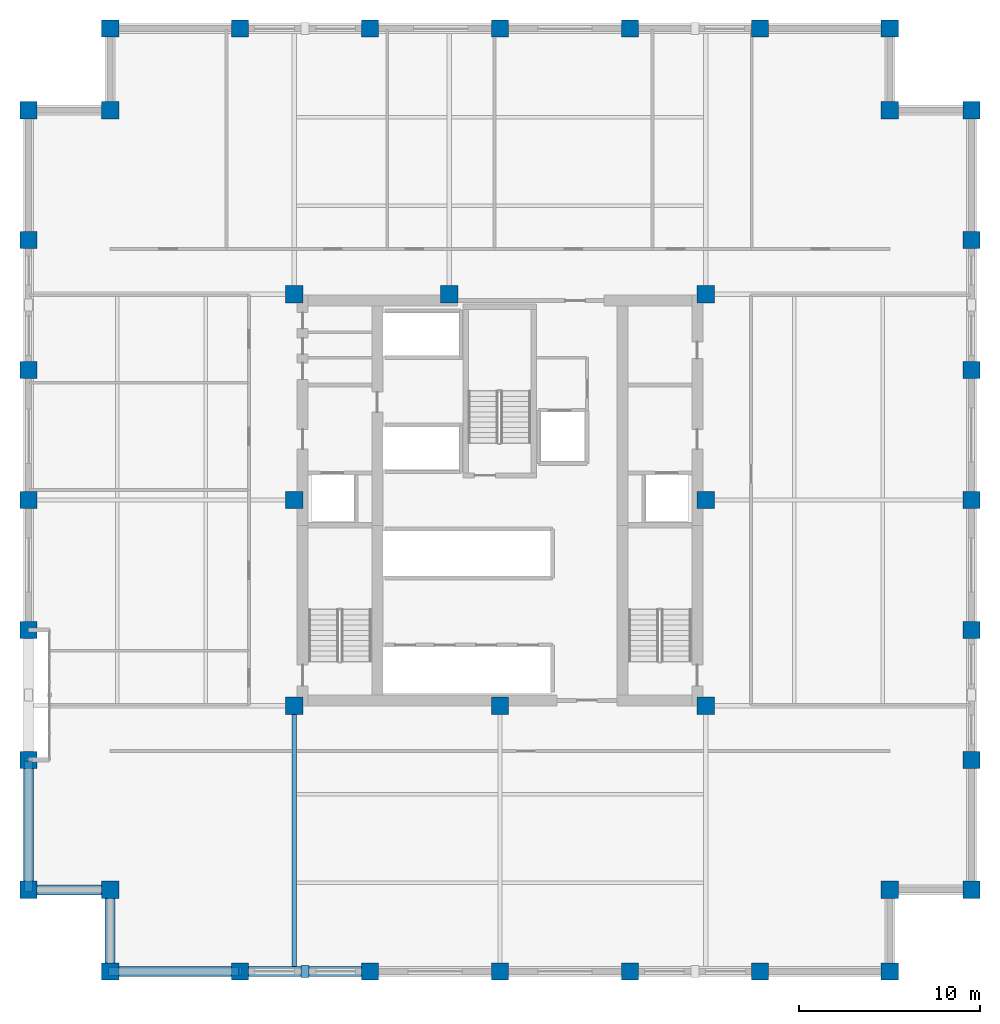
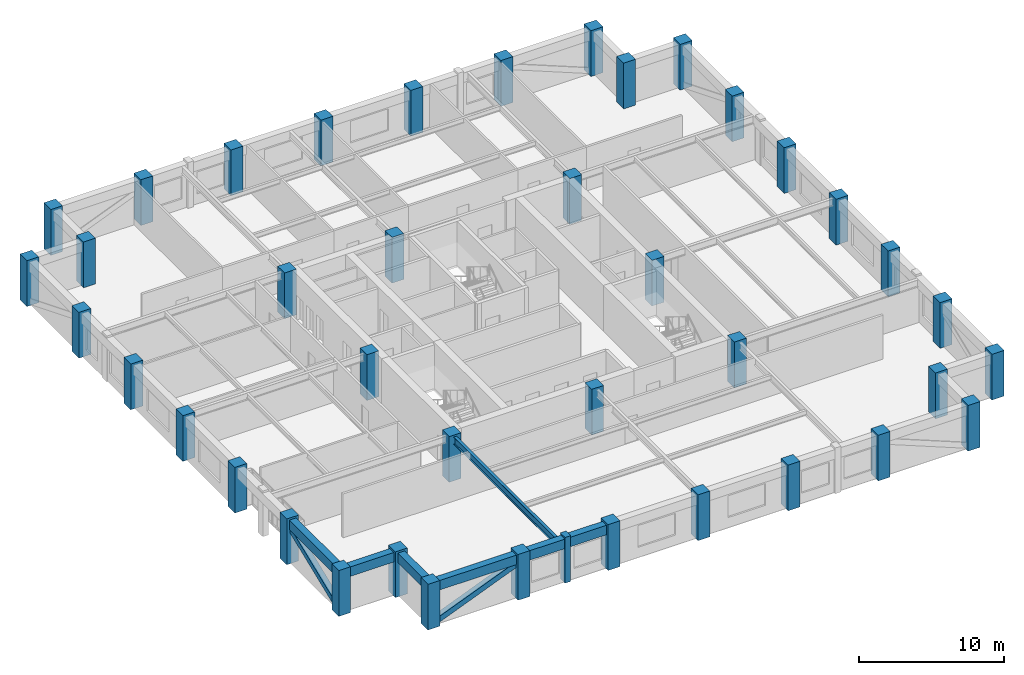
# One storey, part 1 of 11: 40 columns, 6 beams, 3 members.
"""IFC4 building model written with IfcOpenShell, lengths in metres."""

from ifc_helpers import new_model, si_unit, direction, frame, origin, origin_2d, place, context, subcontext, project, spatial, rectangle, hollow_rectangle, i_section, extrude, material, material_profile, profile_set, type_object, element, save


model = new_model("IFC4")

# Units and contexts
model_context = context("Model", 3, precision=1e-05, world=origin(), true_north=direction((0.0, 1.0)))
body_context = subcontext(model_context, "Body", "Model", "MODEL_VIEW")
ifc_project = project(units=[si_unit("LENGTHUNIT", "METRE"), si_unit("AREAUNIT", "SQUARE_METRE"), si_unit("VOLUMEUNIT", "CUBIC_METRE"), si_unit("PLANEANGLEUNIT", "RADIAN"), si_unit("MASSUNIT", "GRAM", prefix="KILO")], contexts=[model_context])

# Site, building, storey
site_placement = place(None, origin())
site = spatial("IfcSite", under=ifc_project, at=site_placement, CompositionType="ELEMENT")
building_placement = place(site_placement, origin())
building = spatial("IfcBuilding", under=site, at=building_placement, Name="Nhamokura Convention Tower", CompositionType="ELEMENT")
storey_placement = place(building_placement, frame((0.0, 0.0, 168.35009765625)))
storey = spatial("IfcBuildingStorey", under=building, at=storey_placement, Name="L41", CompositionType="ELEMENT", Elevation=168.35009765625)

# Columns
ifc_material_1 = material(Name="Concrete C60/75", Category="concrete")
ifc_material_profile_1 = material_profile(ifc_material_1, rectangle(XDim=0.949951171875, YDim=0.949951171875, at=origin_2d()))
ifc_profile_set_1 = profile_set([ifc_material_profile_1], Name="Concrete C60/75")
column_type = type_object("IfcColumnType", Name="TubeColumn_Z2_950", PredefinedType="COLUMN", material=ifc_profile_set_1)
for number, where, z_axis, x_axis, name in (
    (1, (20.64990234375, 20.64990234375, 0.0), (0.0, 0.0, 1.0), (1.0, 0.0, 0.0), "L41 Core Column CC-SW"),
    (2, (32.0, 20.64990234375, 0.0), (0.0, 0.0, 1.0), (1.0, 0.0, 0.0), "L41 Core Column CC-S"),
    (3, (43.35009765625, 20.64990234375, 0.0), (0.0, 0.0, 1.0), (1.0, 0.0, 0.0), "L41 Core Column CC-SE"),
    (4, (43.35009765625, 32.0, 0.0), (0.0, 0.0, 1.0), (1.0, 0.0, 0.0), "L41 Core Column CC-E"),
    (5, (43.35009765625, 43.35009765625, 0.0), (0.0, 0.0, 1.0), (1.0, 0.0, 0.0), "L41 Core Column CC-NE"),
    (6, (29.199951171875, 43.35009765625, 0.0), (0.0, 0.0, 1.0), (1.0, 0.0, 0.0), "L41 Core Column CC-N"),
    (7, (20.64990234375, 43.35009765625, 0.0), (0.0, 0.0, 1.0), (1.0, 0.0, 0.0), "L41 Core Column CC-NW"),
    (8, (20.64990234375, 32.0, 0.0), (0.0, 0.0, 1.0), (1.0, 0.0, 0.0), "L41 Core Column CC-W"),
    (9, (10.5, 6.0, 0.0), (0.0, 0.0, 1.0), (1.0, 0.0, 0.0), "L41 Perimeter Tube Column SW1"),
    (10, (10.5, 10.5, 0.0), (0.0, 0.0, 1.0), (1.0, 0.0, 0.0), "L41 Perimeter Tube Column SW0"),
    (11, (6.0, 10.5, 0.0), (0.0, 0.0, 1.0), (1.0, 0.0, 0.0), "L41 Perimeter Tube Column SW2"),
    (12, (53.5, 6.0, 0.0), (0.0, 0.0, 1.0), (1.0, 0.0, 0.0), "L41 Perimeter Tube Column SE1"),
    (13, (53.5, 10.5, 0.0), (0.0, 0.0, 1.0), (1.0, 0.0, 0.0), "L41 Perimeter Tube Column SE0"),
    (14, (58.0, 10.5, 0.0), (0.0, 0.0, 1.0), (1.0, 0.0, 0.0), "L41 Perimeter Tube Column SE2"),
    (15, (58.0, 53.5, 0.0), (0.0, 0.0, 1.0), (1.0, 0.0, 0.0), "L41 Perimeter Tube Column NE1"),
    (16, (53.5, 53.5, 0.0), (0.0, 0.0, 1.0), (1.0, 0.0, 0.0), "L41 Perimeter Tube Column NE0"),
    (17, (53.5, 58.0, 0.0), (0.0, 0.0, 1.0), (1.0, 0.0, 0.0), "L41 Perimeter Tube Column NE2"),
    (18, (10.5, 58.0, 0.0), (0.0, 0.0, 1.0), (1.0, 0.0, 0.0), "L41 Perimeter Tube Column NW1"),
    (19, (10.5, 53.5, 0.0), (0.0, 0.0, 1.0), (1.0, 0.0, 0.0), "L41 Perimeter Tube Column NW0"),
    (20, (6.0, 53.5, 0.0), (0.0, 0.0, 1.0), (1.0, 0.0, 0.0), "L41 Perimeter Tube Column NW2"),
    (21, (17.666748046875, 6.0, 0.0), (0.0, 0.0, 1.0), (1.0, 0.0, 0.0), "L41 Perimeter Tube Column S1"),
    (22, (17.666748046875, 58.0, 0.0), (0.0, 0.0, 1.0), (1.0, 0.0, 0.0), "L41 Perimeter Tube Column N1"),
    (23, (6.0, 17.666748046875, 0.0), (0.0, 0.0, 1.0), (1.0, 0.0, 0.0), "L41 Perimeter Tube Column W1"),
    (24, (58.0, 17.666748046875, 0.0), (0.0, 0.0, 1.0), (1.0, 0.0, 0.0), "L41 Perimeter Tube Column E1"),
    (25, (24.833251953125, 6.0, 0.0), (0.0, 0.0, 1.0), (1.0, 0.0, 0.0), "L41 Perimeter Tube Column S2"),
    (26, (24.833251953125, 58.0, 0.0), (0.0, 0.0, 1.0), (1.0, 0.0, 0.0), "L41 Perimeter Tube Column N2"),
    (27, (6.0, 24.833251953125, 0.0), (0.0, 0.0, 1.0), (1.0, 0.0, 0.0), "L41 Perimeter Tube Column W2"),
    (28, (58.0, 24.833251953125, 0.0), (0.0, 0.0, 1.0), (1.0, 0.0, 0.0), "L41 Perimeter Tube Column E2"),
    (29, (32.0, 6.0, 0.0), (0.0, 0.0, 1.0), (1.0, 0.0, 0.0), "L41 Perimeter Tube Column S3"),
    (30, (32.0, 58.0, 0.0), (0.0, 0.0, 1.0), (1.0, 0.0, 0.0), "L41 Perimeter Tube Column N3"),
    (31, (6.0, 32.0, 0.0), (0.0, 0.0, 1.0), (1.0, 0.0, 0.0), "L41 Perimeter Tube Column W3"),
    (32, (58.0, 32.0, 0.0), (0.0, 0.0, 1.0), (1.0, 0.0, 0.0), "L41 Perimeter Tube Column E3"),
    (33, (39.166748046875, 6.0, 0.0), (0.0, 0.0, 1.0), (1.0, 0.0, 0.0), "L41 Perimeter Tube Column S4"),
    (34, (39.166748046875, 58.0, 0.0), (0.0, 0.0, 1.0), (1.0, 0.0, 0.0), "L41 Perimeter Tube Column N4"),
    (35, (6.0, 39.166748046875, 0.0), (0.0, 0.0, 1.0), (1.0, 0.0, 0.0), "L41 Perimeter Tube Column W4"),
    (36, (58.0, 39.166748046875, 0.0), (0.0, 0.0, 1.0), (1.0, 0.0, 0.0), "L41 Perimeter Tube Column E4"),
    (37, (46.333251953125, 6.0, 0.0), (0.0, 0.0, 1.0), (1.0, 0.0, 0.0), "L41 Perimeter Tube Column S5"),
    (38, (46.333251953125, 58.0, 0.0), (0.0, 0.0, 1.0), (1.0, 0.0, 0.0), "L41 Perimeter Tube Column N5"),
    (39, (6.0, 46.333251953125, 0.0), (0.0, 0.0, 1.0), (1.0, 0.0, 0.0), "L41 Perimeter Tube Column W5"),
    (40, (58.0, 46.333251953125, 0.0), (0.0, 0.0, 1.0), (1.0, 0.0, 0.0), "L41 Perimeter Tube Column E5"),
):
    element("IfcColumn", number, at=place(storey_placement, frame(where, z_axis=z_axis, x_axis=x_axis)), inside=storey, type_object=column_type, Name=name, PredefinedType="COLUMN", context=body_context, shape_type="SweptSolid", body=[
        extrude(rectangle(XDim=0.949951171875, YDim=0.949951171875, at=origin_2d()), origin(), (0.0, 0.0, 1.0), 3.849853515625),
    ])

# Member
ifc_material_2 = material(Name="Bronze-pigmented precast concrete C45/55", Category="concrete")
ifc_material_profile_2 = material_profile(ifc_material_2, rectangle(XDim=0.449951171875, YDim=0.64990234375, at=origin_2d()))
ifc_profile_set_2 = profile_set([ifc_material_profile_2], Name="Bronze-pigmented precast concrete C45/55")
member_type_1 = type_object("IfcMemberType", Name="BronzePilaster_650", PredefinedType="USERDEFINED", material=ifc_profile_set_2)
member_placement = place(storey_placement, frame((21.25, 6.0, 0.0), z_axis=(0.0, 0.0, 1.0), x_axis=(1.0, 0.0, 0.0)))
element("IfcMember", 41, at=member_placement, inside=storey, type_object=member_type_1, Name="L41 Engaged Frame Pilaster SOUTH 1", ObjectType="PILASTER_TRIM", PredefinedType="USERDEFINED", context=body_context, shape_type="SweptSolid", body=[
    extrude(rectangle(XDim=0.449951171875, YDim=0.64990234375, at=origin_2d()), origin(), (0.0, 0.0, 1.0), 3.849853515625),
])

# Beam
ifc_material_3 = material(Name="Steel ASTM A992 Gr 50", Category="steel")
ifc_material_profile_3 = material_profile(ifc_material_3, i_section(OverallWidth=0.22802734375, OverallDepth=0.60791015625, WebThickness=0.01123046875, FlangeThickness=0.017333984375, at=origin_2d()))
ifc_profile_set_3 = profile_set([ifc_material_profile_3], Name="Steel ASTM A992 Gr 50")
beam_type_1 = type_object("IfcBeamType", Name="PrimaryGirder_W610X113", PredefinedType="BEAM", material=ifc_profile_set_3)
beam_1_placement = place(storey_placement, frame((20.64990234375, 6.0, 3.380859375), z_axis=(0.0, 1.0, 0.0), x_axis=(-1.0, 0.0, 0.0)))
element("IfcBeam", 42, at=beam_1_placement, inside=storey, type_object=beam_type_1, Name="L41 Primary Floor Girder PG-S1", PredefinedType="BEAM", context=body_context, shape_type="SweptSolid", body=[
    extrude(i_section(OverallWidth=0.22802734375, OverallDepth=0.60791015625, WebThickness=0.01123046875, FlangeThickness=0.017333984375, at=origin_2d()), origin(), (0.0, 0.0, 1.0), 14.64990234375),
])

# Members
ifc_material_4 = material(Name="Steel ASTM A572 Gr 50", Category="steel")
ifc_material_profile_4 = material_profile(ifc_material_4, hollow_rectangle(XDim=0.449951171875, YDim=0.449951171875, WallThickness=0.02197265625, at=origin_2d()))
ifc_profile_set_4 = profile_set([ifc_material_profile_4], Name="Steel ASTM A572 Gr 50")
member_type_2 = type_object("IfcMemberType", Name="TubeBrace_HSS450", PredefinedType="BRACE", material=ifc_profile_set_4)
for number, where, z_axis, x_axis, name in (
    (43, (10.5, 6.0, 0.14990234375), (0.927657166893, 0.0, 0.373432966826), (0.0, 1.0, 0.0), "L41 Perimeter Tube Brace SOUTH Bay 0"),
    (44, (6.0, 10.5, 0.14990234375), (0.0, 0.927657166893, 0.373432966826), (-1.0, 0.0, 0.0), "L41 Perimeter Tube Brace WEST Bay 0"),
):
    element("IfcMember", number, at=place(storey_placement, frame(where, z_axis=z_axis, x_axis=x_axis)), inside=storey, type_object=member_type_2, Name=name, PredefinedType="BRACE", context=body_context, shape_type="SweptSolid", body=[
        extrude(hollow_rectangle(XDim=0.449951171875, YDim=0.449951171875, WallThickness=0.02197265625, at=origin_2d()), origin(), (0.0, 0.0, 1.0), 7.7255859375),
    ])

# Beams
ifc_material_5 = material(Name="Concrete C50/60", Category="concrete")
ifc_material_profile_5 = material_profile(ifc_material_5, rectangle(XDim=0.550048828125, YDim=0.800048828125, at=origin_2d()))
ifc_profile_set_5 = profile_set([ifc_material_profile_5], Name="Concrete C50/60")
beam_type_2 = type_object("IfcBeamType", Name="TubeSpandrel_800", PredefinedType="SPANDREL", material=ifc_profile_set_5)
beam_2_placement = place(storey_placement, frame((10.5, 6.0, 3.284912109375), z_axis=(1.0, 0.0, 0.0), x_axis=(0.0, 1.0, 0.0)))
element("IfcBeam", 45, at=beam_2_placement, inside=storey, type_object=beam_type_2, Name="L41 Perimeter Spandrel SOUTH 1", PredefinedType="SPANDREL", context=body_context, shape_type="SweptSolid", body=[
    extrude(rectangle(XDim=0.550048828125, YDim=0.800048828125, at=origin_2d()), origin(), (0.0, 0.0, 1.0), 7.166748046875),
])
beam_3_placement = place(storey_placement, frame((17.666748046875, 6.0, 3.284912109375), z_axis=(1.0, 0.0, 0.0), x_axis=(0.0, 1.0, 0.0)))
element("IfcBeam", 46, at=beam_3_placement, inside=storey, type_object=beam_type_2, Name="L41 Perimeter Spandrel SOUTH 2", PredefinedType="SPANDREL", context=body_context, shape_type="SweptSolid", body=[
    extrude(rectangle(XDim=0.550048828125, YDim=0.800048828125, at=origin_2d()), origin(), (0.0, 0.0, 1.0), 7.16650390625),
])
beam_4_placement = place(storey_placement, frame((6.0, 10.5, 3.284912109375), z_axis=(0.0, 1.0, 0.0), x_axis=(-1.0, 0.0, 0.0)))
element("IfcBeam", 47, at=beam_4_placement, inside=storey, type_object=beam_type_2, Name="L41 Perimeter Spandrel WEST 1", PredefinedType="SPANDREL", context=body_context, shape_type="SweptSolid", body=[
    extrude(rectangle(XDim=0.550048828125, YDim=0.800048828125, at=origin_2d()), origin(), (0.0, 0.0, 1.0), 7.166748046875),
])
for number, where, z_axis, x_axis, name in (
    (48, (10.5, 6.0, 3.284912109375), (0.0, 1.0, 0.0), (-1.0, 0.0, 0.0), "L41 Notch Spandrel SW1"),
    (49, (10.5, 10.5, 3.284912109375), (-1.0, 0.0, 0.0), (0.0, -1.0, 0.0), "L41 Notch Spandrel SW2"),
):
    element("IfcBeam", number, at=place(storey_placement, frame(where, z_axis=z_axis, x_axis=x_axis)), inside=storey, type_object=beam_type_2, Name=name, PredefinedType="SPANDREL", context=body_context, shape_type="SweptSolid", body=[
        extrude(rectangle(XDim=0.550048828125, YDim=0.800048828125, at=origin_2d()), origin(), (0.0, 0.0, 1.0), 4.5),
    ])

save(model, "model.ifc")
